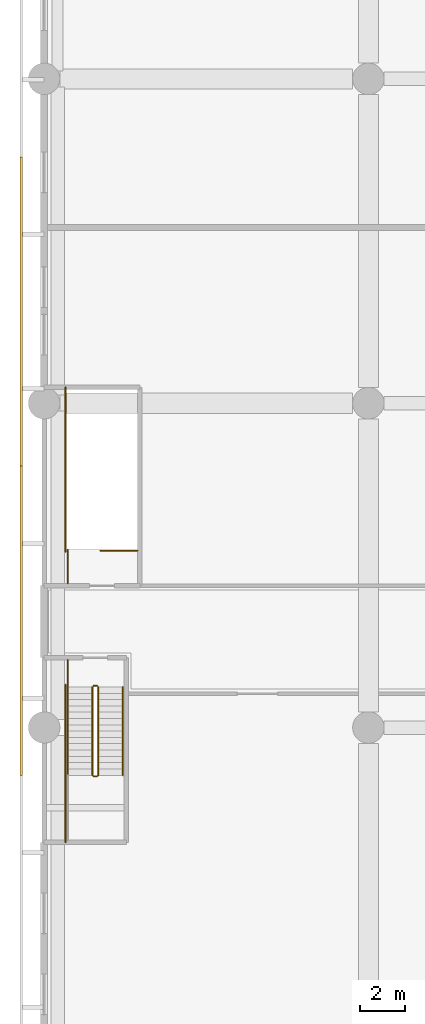
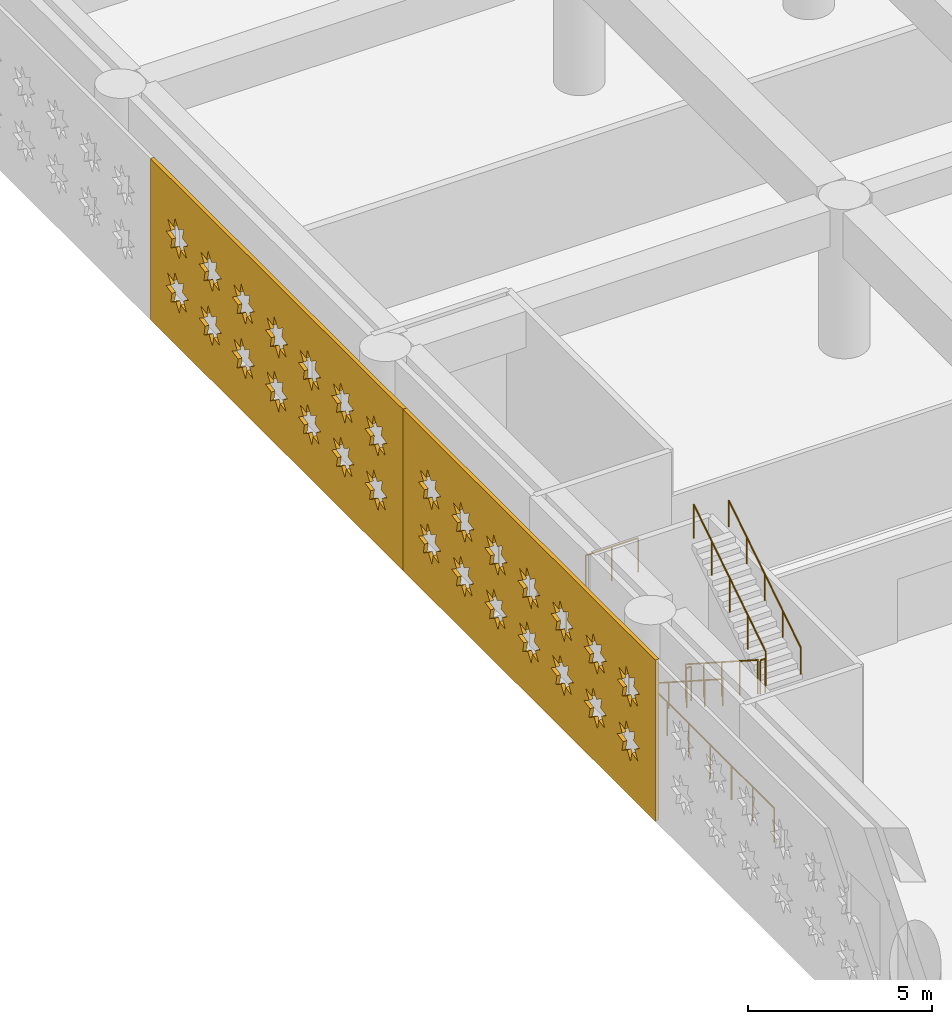
# One storey, part 14 of 24: 11 railings, 2 coverings.
"""IFC4 building model written with IfcOpenShell, lengths in metres."""

from ifc_helpers import new_model, si_unit, direction, frame, origin, origin_2d, place, context, subcontext, project, spatial, polyline, circle, outline, extrude, material, layer, layer_set, type_object, element, save


model = new_model("IFC4")

# Units and contexts
model_context = context("Model", 3, precision=1e-05, world=origin(), true_north=direction((0.0, 1.0)))
body_context = subcontext(model_context, "Body", "Model", "MODEL_VIEW")
ifc_project = project(units=[si_unit("LENGTHUNIT", "METRE"), si_unit("AREAUNIT", "SQUARE_METRE"), si_unit("VOLUMEUNIT", "CUBIC_METRE"), si_unit("PLANEANGLEUNIT", "RADIAN"), si_unit("MASSUNIT", "GRAM", prefix="KILO")], contexts=[model_context])

# Site, building, storey
site_placement = place(None, origin())
site = spatial("IfcSite", under=ifc_project, at=site_placement, CompositionType="ELEMENT")
building_placement = place(site_placement, origin())
building = spatial("IfcBuilding", under=site, at=building_placement, Name="Saffron Iwan Residences", CompositionType="ELEMENT")
storey_placement = place(building_placement, frame((0.0, 0.0, 21.60009765625)))
storey = spatial("IfcBuildingStorey", under=building, at=storey_placement, Name="L04", CompositionType="ELEMENT", Elevation=21.60009765625)

# Coverings
ifc_material_1 = material(Name="Terracotta screen, precast concrete C40/50", Category="masonry")
ifc_layer = layer(ifc_material_1, 0.1201171875)
ifc_layer_set = layer_set([ifc_layer], Name="Terracotta screen, precast concrete C40/50")
covering_type = type_object("IfcCoveringType", Name="PODIUM SCREEN GIRIH", PredefinedType="CLADDING", material=ifc_layer_set)
covering_1_placement = place(storey_placement, frame((-0.949951171875, 73.325927734375, -0.400146484375), z_axis=(-1.0, 0.0, 0.0), x_axis=(0.0, -1.0, 0.0)))
element("IfcCovering", 1, at=covering_1_placement, inside=storey, type_object=covering_type, Name="SCREEN girih terracotta L04 F3.1", PredefinedType="CLADDING", context=body_context, shape_type="SweptSolid", body=[
    extrude(outline(polyline([(0.0, 0.0), (13.72412109375, 0.0), (13.72412109375, 5.35009765625), (0.0, 5.35009765625), (0.0, 0.0)]), holes=[polyline([(2.070068359375, 1.89599609375), (1.74462890625, 1.9638671875), (1.806396484375, 2.29052734375), (1.5283203125, 2.1083984375), (1.341064453125, 2.383056640625), (1.273193359375, 2.0576171875), (0.946533203125, 2.119384765625), (1.12841796875, 1.84130859375), (0.85400390625, 1.654052734375), (1.17919921875, 1.586181640625), (1.117431640625, 1.259521484375), (1.395751953125, 1.44140625), (1.5830078125, 1.1669921875), (1.65087890625, 1.4921875), (1.9775390625, 1.430419921875), (1.79541015625, 1.708740234375), (2.070068359375, 1.89599609375)]), polyline([(2.070068359375, 3.696044921875), (1.74462890625, 3.763916015625), (1.806396484375, 4.090576171875), (1.5283203125, 3.908447265625), (1.341064453125, 4.18310546875), (1.273193359375, 3.857666015625), (0.946533203125, 3.91943359375), (1.12841796875, 3.641357421875), (0.85400390625, 3.4541015625), (1.17919921875, 3.385986328125), (1.117431640625, 3.0595703125), (1.395751953125, 3.241455078125), (1.5830078125, 2.966796875), (1.65087890625, 3.292236328125), (1.9775390625, 3.23046875), (1.79541015625, 3.5087890625), (2.070068359375, 3.696044921875)]), polyline([(3.8701171875, 1.89599609375), (3.544677734375, 1.9638671875), (3.6064453125, 2.29052734375), (3.328369140625, 2.1083984375), (3.14111328125, 2.383056640625), (3.072998046875, 2.0576171875), (2.74658203125, 2.119384765625), (2.928466796875, 1.84130859375), (2.65380859375, 1.654052734375), (2.979248046875, 1.586181640625), (2.91748046875, 1.259521484375), (3.19580078125, 1.44140625), (3.383056640625, 1.1669921875), (3.450927734375, 1.4921875), (3.777587890625, 1.430419921875), (3.595458984375, 1.708740234375), (3.8701171875, 1.89599609375)]), polyline([(3.8701171875, 3.696044921875), (3.544677734375, 3.763916015625), (3.6064453125, 4.090576171875), (3.328369140625, 3.908447265625), (3.14111328125, 4.18310546875), (3.072998046875, 3.857666015625), (2.74658203125, 3.91943359375), (2.928466796875, 3.641357421875), (2.65380859375, 3.4541015625), (2.979248046875, 3.385986328125), (2.91748046875, 3.0595703125), (3.19580078125, 3.241455078125), (3.383056640625, 2.966796875), (3.450927734375, 3.292236328125), (3.777587890625, 3.23046875), (3.595458984375, 3.5087890625), (3.8701171875, 3.696044921875)]), polyline([(5.670166015625, 1.89599609375), (5.3447265625, 1.9638671875), (5.406494140625, 2.29052734375), (5.12841796875, 2.1083984375), (4.94091796875, 2.383056640625), (4.873046875, 2.0576171875), (4.54638671875, 2.119384765625), (4.728515625, 1.84130859375), (4.453857421875, 1.654052734375), (4.779296875, 1.586181640625), (4.717529296875, 1.259521484375), (4.99560546875, 1.44140625), (5.18310546875, 1.1669921875), (5.2509765625, 1.4921875), (5.577392578125, 1.430419921875), (5.3955078125, 1.708740234375), (5.670166015625, 1.89599609375)]), polyline([(5.670166015625, 3.696044921875), (5.3447265625, 3.763916015625), (5.406494140625, 4.090576171875), (5.12841796875, 3.908447265625), (4.94091796875, 4.18310546875), (4.873046875, 3.857666015625), (4.54638671875, 3.91943359375), (4.728515625, 3.641357421875), (4.453857421875, 3.4541015625), (4.779296875, 3.385986328125), (4.717529296875, 3.0595703125), (4.99560546875, 3.241455078125), (5.18310546875, 2.966796875), (5.2509765625, 3.292236328125), (5.577392578125, 3.23046875), (5.3955078125, 3.5087890625), (5.670166015625, 3.696044921875)]), polyline([(7.47021484375, 1.89599609375), (7.144775390625, 1.9638671875), (7.20654296875, 2.29052734375), (6.92822265625, 2.1083984375), (6.740966796875, 2.383056640625), (6.673095703125, 2.0576171875), (6.346435546875, 2.119384765625), (6.528564453125, 1.84130859375), (6.25390625, 1.654052734375), (6.579345703125, 1.586181640625), (6.517578125, 1.259521484375), (6.795654296875, 1.44140625), (6.98291015625, 1.1669921875), (7.05078125, 1.4921875), (7.37744140625, 1.430419921875), (7.195556640625, 1.708740234375), (7.47021484375, 1.89599609375)]), polyline([(7.47021484375, 3.696044921875), (7.144775390625, 3.763916015625), (7.20654296875, 4.090576171875), (6.92822265625, 3.908447265625), (6.740966796875, 4.18310546875), (6.673095703125, 3.857666015625), (6.346435546875, 3.91943359375), (6.528564453125, 3.641357421875), (6.25390625, 3.4541015625), (6.579345703125, 3.385986328125), (6.517578125, 3.0595703125), (6.795654296875, 3.241455078125), (6.98291015625, 2.966796875), (7.05078125, 3.292236328125), (7.37744140625, 3.23046875), (7.195556640625, 3.5087890625), (7.47021484375, 3.696044921875)]), polyline([(9.27001953125, 1.89599609375), (8.944580078125, 1.9638671875), (9.006591796875, 2.29052734375), (8.728271484375, 2.1083984375), (8.541015625, 2.383056640625), (8.47314453125, 2.0576171875), (8.146484375, 2.119384765625), (8.32861328125, 1.84130859375), (8.053955078125, 1.654052734375), (8.37939453125, 1.586181640625), (8.3173828125, 1.259521484375), (8.595703125, 1.44140625), (8.782958984375, 1.1669921875), (8.850830078125, 1.4921875), (9.177490234375, 1.430419921875), (8.99560546875, 1.708740234375), (9.27001953125, 1.89599609375)]), polyline([(9.27001953125, 3.696044921875), (8.944580078125, 3.763916015625), (9.006591796875, 4.090576171875), (8.728271484375, 3.908447265625), (8.541015625, 4.18310546875), (8.47314453125, 3.857666015625), (8.146484375, 3.91943359375), (8.32861328125, 3.641357421875), (8.053955078125, 3.4541015625), (8.37939453125, 3.385986328125), (8.3173828125, 3.0595703125), (8.595703125, 3.241455078125), (8.782958984375, 2.966796875), (8.850830078125, 3.292236328125), (9.177490234375, 3.23046875), (8.99560546875, 3.5087890625), (9.27001953125, 3.696044921875)]), polyline([(11.070068359375, 1.89599609375), (10.74462890625, 1.9638671875), (10.806396484375, 2.29052734375), (10.5283203125, 2.1083984375), (10.341064453125, 2.383056640625), (10.273193359375, 2.0576171875), (9.946533203125, 2.119384765625), (10.12841796875, 1.84130859375), (9.85400390625, 1.654052734375), (10.17919921875, 1.586181640625), (10.117431640625, 1.259521484375), (10.395751953125, 1.44140625), (10.5830078125, 1.1669921875), (10.65087890625, 1.4921875), (10.9775390625, 1.430419921875), (10.79541015625, 1.708740234375), (11.070068359375, 1.89599609375)]), polyline([(11.070068359375, 3.696044921875), (10.74462890625, 3.763916015625), (10.806396484375, 4.090576171875), (10.5283203125, 3.908447265625), (10.341064453125, 4.18310546875), (10.273193359375, 3.857666015625), (9.946533203125, 3.91943359375), (10.12841796875, 3.641357421875), (9.85400390625, 3.4541015625), (10.17919921875, 3.385986328125), (10.117431640625, 3.0595703125), (10.395751953125, 3.241455078125), (10.5830078125, 2.966796875), (10.65087890625, 3.292236328125), (10.9775390625, 3.23046875), (10.79541015625, 3.5087890625), (11.070068359375, 3.696044921875)]), polyline([(12.8701171875, 1.89599609375), (12.544677734375, 1.9638671875), (12.6064453125, 2.29052734375), (12.328369140625, 2.1083984375), (12.14111328125, 2.383056640625), (12.072998046875, 2.0576171875), (11.74658203125, 2.119384765625), (11.928466796875, 1.84130859375), (11.65380859375, 1.654052734375), (11.979248046875, 1.586181640625), (11.91748046875, 1.259521484375), (12.19580078125, 1.44140625), (12.383056640625, 1.1669921875), (12.450927734375, 1.4921875), (12.777587890625, 1.430419921875), (12.595458984375, 1.708740234375), (12.8701171875, 1.89599609375)]), polyline([(12.8701171875, 3.696044921875), (12.544677734375, 3.763916015625), (12.6064453125, 4.090576171875), (12.328369140625, 3.908447265625), (12.14111328125, 4.18310546875), (12.072998046875, 3.857666015625), (11.74658203125, 3.91943359375), (11.928466796875, 3.641357421875), (11.65380859375, 3.4541015625), (11.979248046875, 3.385986328125), (11.91748046875, 3.0595703125), (12.19580078125, 3.241455078125), (12.383056640625, 2.966796875), (12.450927734375, 3.292236328125), (12.777587890625, 3.23046875), (12.595458984375, 3.5087890625), (12.8701171875, 3.696044921875)])]), origin(), (0.0, 0.0, 1.0), 0.1201171875),
])
covering_2_placement = place(storey_placement, frame((-0.949951171875, 59.60205078125, -0.400146484375), z_axis=(-1.0, 0.0, 0.0), x_axis=(0.0, -1.0, 0.0)))
element("IfcCovering", 2, at=covering_2_placement, inside=storey, type_object=covering_type, Name="SCREEN girih terracotta L04 F3.2", PredefinedType="CLADDING", context=body_context, shape_type="SweptSolid", body=[
    extrude(outline(polyline([(0.0, 0.0), (13.72412109375, 0.0), (13.72412109375, 5.35009765625), (0.0, 5.35009765625), (0.0, 0.0)]), holes=[polyline([(2.070068359375, 1.89599609375), (1.74462890625, 1.9638671875), (1.806396484375, 2.29052734375), (1.5283203125, 2.1083984375), (1.341064453125, 2.383056640625), (1.273193359375, 2.0576171875), (0.946533203125, 2.119384765625), (1.12841796875, 1.84130859375), (0.85400390625, 1.654052734375), (1.17919921875, 1.586181640625), (1.117431640625, 1.259521484375), (1.395751953125, 1.44140625), (1.5830078125, 1.1669921875), (1.65087890625, 1.4921875), (1.9775390625, 1.430419921875), (1.79541015625, 1.708740234375), (2.070068359375, 1.89599609375)]), polyline([(2.070068359375, 3.696044921875), (1.74462890625, 3.763916015625), (1.806396484375, 4.090576171875), (1.5283203125, 3.908447265625), (1.341064453125, 4.18310546875), (1.273193359375, 3.857666015625), (0.946533203125, 3.91943359375), (1.12841796875, 3.641357421875), (0.85400390625, 3.4541015625), (1.17919921875, 3.385986328125), (1.117431640625, 3.0595703125), (1.395751953125, 3.241455078125), (1.5830078125, 2.966796875), (1.65087890625, 3.292236328125), (1.9775390625, 3.23046875), (1.79541015625, 3.5087890625), (2.070068359375, 3.696044921875)]), polyline([(3.8701171875, 1.89599609375), (3.544677734375, 1.9638671875), (3.6064453125, 2.29052734375), (3.328369140625, 2.1083984375), (3.14111328125, 2.383056640625), (3.072998046875, 2.0576171875), (2.74658203125, 2.119384765625), (2.928466796875, 1.84130859375), (2.65380859375, 1.654052734375), (2.979248046875, 1.586181640625), (2.91748046875, 1.259521484375), (3.19580078125, 1.44140625), (3.383056640625, 1.1669921875), (3.450927734375, 1.4921875), (3.777587890625, 1.430419921875), (3.595458984375, 1.708740234375), (3.8701171875, 1.89599609375)]), polyline([(3.8701171875, 3.696044921875), (3.544677734375, 3.763916015625), (3.6064453125, 4.090576171875), (3.328369140625, 3.908447265625), (3.14111328125, 4.18310546875), (3.072998046875, 3.857666015625), (2.74658203125, 3.91943359375), (2.928466796875, 3.641357421875), (2.65380859375, 3.4541015625), (2.979248046875, 3.385986328125), (2.91748046875, 3.0595703125), (3.19580078125, 3.241455078125), (3.383056640625, 2.966796875), (3.450927734375, 3.292236328125), (3.777587890625, 3.23046875), (3.595458984375, 3.5087890625), (3.8701171875, 3.696044921875)]), polyline([(5.670166015625, 1.89599609375), (5.3447265625, 1.9638671875), (5.406494140625, 2.29052734375), (5.12841796875, 2.1083984375), (4.94091796875, 2.383056640625), (4.873046875, 2.0576171875), (4.54638671875, 2.119384765625), (4.728515625, 1.84130859375), (4.453857421875, 1.654052734375), (4.779296875, 1.586181640625), (4.717529296875, 1.259521484375), (4.99560546875, 1.44140625), (5.18310546875, 1.1669921875), (5.2509765625, 1.4921875), (5.577392578125, 1.430419921875), (5.3955078125, 1.708740234375), (5.670166015625, 1.89599609375)]), polyline([(5.670166015625, 3.696044921875), (5.3447265625, 3.763916015625), (5.406494140625, 4.090576171875), (5.12841796875, 3.908447265625), (4.94091796875, 4.18310546875), (4.873046875, 3.857666015625), (4.54638671875, 3.91943359375), (4.728515625, 3.641357421875), (4.453857421875, 3.4541015625), (4.779296875, 3.385986328125), (4.717529296875, 3.0595703125), (4.99560546875, 3.241455078125), (5.18310546875, 2.966796875), (5.2509765625, 3.292236328125), (5.577392578125, 3.23046875), (5.3955078125, 3.5087890625), (5.670166015625, 3.696044921875)]), polyline([(7.47021484375, 1.89599609375), (7.144775390625, 1.9638671875), (7.20654296875, 2.29052734375), (6.92822265625, 2.1083984375), (6.740966796875, 2.383056640625), (6.673095703125, 2.0576171875), (6.346435546875, 2.119384765625), (6.528564453125, 1.84130859375), (6.25390625, 1.654052734375), (6.579345703125, 1.586181640625), (6.517578125, 1.259521484375), (6.795654296875, 1.44140625), (6.98291015625, 1.1669921875), (7.05078125, 1.4921875), (7.37744140625, 1.430419921875), (7.195556640625, 1.708740234375), (7.47021484375, 1.89599609375)]), polyline([(7.47021484375, 3.696044921875), (7.144775390625, 3.763916015625), (7.20654296875, 4.090576171875), (6.92822265625, 3.908447265625), (6.740966796875, 4.18310546875), (6.673095703125, 3.857666015625), (6.346435546875, 3.91943359375), (6.528564453125, 3.641357421875), (6.25390625, 3.4541015625), (6.579345703125, 3.385986328125), (6.517578125, 3.0595703125), (6.795654296875, 3.241455078125), (6.98291015625, 2.966796875), (7.05078125, 3.292236328125), (7.37744140625, 3.23046875), (7.195556640625, 3.5087890625), (7.47021484375, 3.696044921875)]), polyline([(9.27001953125, 1.89599609375), (8.944580078125, 1.9638671875), (9.006591796875, 2.29052734375), (8.728271484375, 2.1083984375), (8.541015625, 2.383056640625), (8.47314453125, 2.0576171875), (8.146484375, 2.119384765625), (8.32861328125, 1.84130859375), (8.053955078125, 1.654052734375), (8.37939453125, 1.586181640625), (8.3173828125, 1.259521484375), (8.595703125, 1.44140625), (8.782958984375, 1.1669921875), (8.850830078125, 1.4921875), (9.177490234375, 1.430419921875), (8.99560546875, 1.708740234375), (9.27001953125, 1.89599609375)]), polyline([(9.27001953125, 3.696044921875), (8.944580078125, 3.763916015625), (9.006591796875, 4.090576171875), (8.728271484375, 3.908447265625), (8.541015625, 4.18310546875), (8.47314453125, 3.857666015625), (8.146484375, 3.91943359375), (8.32861328125, 3.641357421875), (8.053955078125, 3.4541015625), (8.37939453125, 3.385986328125), (8.3173828125, 3.0595703125), (8.595703125, 3.241455078125), (8.782958984375, 2.966796875), (8.850830078125, 3.292236328125), (9.177490234375, 3.23046875), (8.99560546875, 3.5087890625), (9.27001953125, 3.696044921875)]), polyline([(11.070068359375, 1.89599609375), (10.74462890625, 1.9638671875), (10.806396484375, 2.29052734375), (10.5283203125, 2.1083984375), (10.341064453125, 2.383056640625), (10.273193359375, 2.0576171875), (9.946533203125, 2.119384765625), (10.12841796875, 1.84130859375), (9.85400390625, 1.654052734375), (10.17919921875, 1.586181640625), (10.117431640625, 1.259521484375), (10.395751953125, 1.44140625), (10.5830078125, 1.1669921875), (10.65087890625, 1.4921875), (10.9775390625, 1.430419921875), (10.79541015625, 1.708740234375), (11.070068359375, 1.89599609375)]), polyline([(11.070068359375, 3.696044921875), (10.74462890625, 3.763916015625), (10.806396484375, 4.090576171875), (10.5283203125, 3.908447265625), (10.341064453125, 4.18310546875), (10.273193359375, 3.857666015625), (9.946533203125, 3.91943359375), (10.12841796875, 3.641357421875), (9.85400390625, 3.4541015625), (10.17919921875, 3.385986328125), (10.117431640625, 3.0595703125), (10.395751953125, 3.241455078125), (10.5830078125, 2.966796875), (10.65087890625, 3.292236328125), (10.9775390625, 3.23046875), (10.79541015625, 3.5087890625), (11.070068359375, 3.696044921875)]), polyline([(12.8701171875, 1.89599609375), (12.544677734375, 1.9638671875), (12.6064453125, 2.29052734375), (12.328369140625, 2.1083984375), (12.14111328125, 2.383056640625), (12.072998046875, 2.0576171875), (11.74658203125, 2.119384765625), (11.928466796875, 1.84130859375), (11.65380859375, 1.654052734375), (11.979248046875, 1.586181640625), (11.91748046875, 1.259521484375), (12.19580078125, 1.44140625), (12.383056640625, 1.1669921875), (12.450927734375, 1.4921875), (12.777587890625, 1.430419921875), (12.595458984375, 1.708740234375), (12.8701171875, 1.89599609375)]), polyline([(12.8701171875, 3.696044921875), (12.544677734375, 3.763916015625), (12.6064453125, 4.090576171875), (12.328369140625, 3.908447265625), (12.14111328125, 4.18310546875), (12.072998046875, 3.857666015625), (11.74658203125, 3.91943359375), (11.928466796875, 3.641357421875), (11.65380859375, 3.4541015625), (11.979248046875, 3.385986328125), (11.91748046875, 3.0595703125), (12.19580078125, 3.241455078125), (12.383056640625, 2.966796875), (12.450927734375, 3.292236328125), (12.777587890625, 3.23046875), (12.595458984375, 3.5087890625), (12.8701171875, 3.696044921875)])]), origin(), (0.0, 0.0, 1.0), 0.1201171875),
])

# Railings
ifc_material_2 = material(Name="Steel S355", Category="steel")
railing_type_1 = type_object("IfcRailingType", Name="Podium stair guard 1150", PredefinedType="GUARDRAIL", material=ifc_material_2)
railing_1_placement = place(storey_placement, frame((2.14990234375, 49.800048828125, 0.179931640625)))
element("IfcRailing", 3, at=railing_1_placement, inside=storey, type_object=railing_type_1, Name="L04 PS1 stair guard 1", PredefinedType="GUARDRAIL", context=body_context, shape_type="SweptSolid", body=[
    extrude(circle(Radius=0.02392578125, at=origin_2d()), frame((0.0, 0.0, 1.1259765625), z_axis=(0.0, -0.841186985886, 0.540744352514), x_axis=(1.0, 0.0, 0.0)), (0.0, 0.0, 1.0), 4.660400390625),
    extrude(circle(Radius=0.02099609375, at=origin_2d()), origin(), (0.0, 0.0, 1.0), 1.101806640625),
    extrude(circle(Radius=0.02099609375, at=origin_2d()), frame((0.0, -0.97998046875, 0.6298828125)), (0.0, 0.0, 1.0), 1.101806640625),
    extrude(circle(Radius=0.02099609375, at=origin_2d()), frame((0.0, -1.9599609375, 1.260009765625)), (0.0, 0.0, 1.0), 1.101806640625),
    extrude(circle(Radius=0.02099609375, at=origin_2d()), frame((0.0, -2.940185546875, 1.89013671875)), (0.0, 0.0, 1.0), 1.101806640625),
    extrude(circle(Radius=0.02099609375, at=origin_2d()), frame((0.0, -3.920166015625, 2.52001953125)), (0.0, 0.0, 1.0), 1.101806640625),
])
railing_2_placement = place(storey_placement, frame((2.199951171875, 45.830078125, 2.699951171875)))
element("IfcRailing", 4, at=railing_2_placement, inside=storey, type_object=railing_type_1, Name="L04 PS1 stair guard 2", PredefinedType="GUARDRAIL", context=body_context, shape_type="SweptSolid", body=[
    extrude(circle(Radius=0.02392578125, at=origin_2d()), frame((0.0, 0.0, 1.1259765625), z_axis=(1.0, 0.0, 0.0), x_axis=(0.0, 1.0, 0.0)), (0.0, 0.0, 1.0), 0.150146484375),
    extrude(circle(Radius=0.02099609375, at=origin_2d()), origin(), (0.0, 0.0, 1.0), 1.101806640625),
    extrude(circle(Radius=0.02099609375, at=origin_2d()), frame((0.150146484375, 0.0, 0.0)), (0.0, 0.0, 1.0), 1.101806640625),
])
railing_3_placement = place(storey_placement, frame((2.39990234375, 45.8798828125, 2.8798828125)))
element("IfcRailing", 5, at=railing_3_placement, inside=storey, type_object=railing_type_1, Name="L04 PS1 stair guard 4", PredefinedType="GUARDRAIL", context=body_context, shape_type="SweptSolid", body=[
    extrude(circle(Radius=0.02392578125, at=origin_2d()), frame((0.0, 0.0, 1.1259765625), z_axis=(0.0, 0.841186985886, 0.540744352514), x_axis=(-1.0, 0.0, 0.0)), (0.0, 0.0, 1.0), 4.660400390625),
    extrude(circle(Radius=0.02099609375, at=origin_2d()), origin(), (0.0, 0.0, 1.0), 1.101806640625),
    extrude(circle(Radius=0.02099609375, at=origin_2d()), frame((0.0, 0.97998046875, 0.6298828125)), (0.0, 0.0, 1.0), 1.101806640625),
    extrude(circle(Radius=0.02099609375, at=origin_2d()), frame((0.0, 1.9599609375, 1.260009765625)), (0.0, 0.0, 1.0), 1.101806640625),
    extrude(circle(Radius=0.02099609375, at=origin_2d()), frame((0.0, 2.940185546875, 1.89013671875)), (0.0, 0.0, 1.0), 1.101806640625),
    extrude(circle(Radius=0.02099609375, at=origin_2d()), frame((0.0, 3.920166015625, 2.52001953125)), (0.0, 0.0, 1.0), 1.101806640625),
])
railing_4_placement = place(storey_placement, frame((2.199951171875, 49.85009765625, 0.0)))
element("IfcRailing", 6, at=railing_4_placement, inside=storey, type_object=railing_type_1, Name="L04 PS1 stair guard 5", PredefinedType="GUARDRAIL", context=body_context, shape_type="SweptSolid", body=[
    extrude(circle(Radius=0.02392578125, at=origin_2d()), frame((0.0, 0.0, 1.1259765625), z_axis=(1.0, 0.0, 0.0), x_axis=(0.0, 1.0, 0.0)), (0.0, 0.0, 1.0), 0.150146484375),
    extrude(circle(Radius=0.02099609375, at=origin_2d()), origin(), (0.0, 0.0, 1.0), 1.101806640625),
    extrude(circle(Radius=0.02099609375, at=origin_2d()), frame((0.150146484375, 0.0, 0.0)), (0.0, 0.0, 1.0), 1.101806640625),
])
railing_5_placement = place(storey_placement, frame((1.050048828125, 51.0, 0.0)))
element("IfcRailing", 7, at=railing_5_placement, inside=storey, type_object=railing_type_1, Name="L04 PS1 stair guard 6", PredefinedType="GUARDRAIL", context=body_context, shape_type="SweptSolid", body=[
    extrude(circle(Radius=0.02392578125, at=origin_2d()), frame((0.0, 0.0, 1.1259765625), z_axis=(0.0, -1.0, 0.0), x_axis=(1.0, 0.0, 0.0)), (0.0, 0.0, 1.0), 1.199951171875),
    extrude(circle(Radius=0.02099609375, at=origin_2d()), origin(), (0.0, 0.0, 1.0), 1.101806640625),
    extrude(circle(Radius=0.02099609375, at=origin_2d()), frame((0.0, -1.199951171875, 0.0)), (0.0, 0.0, 1.0), 1.101806640625),
])
railing_6_placement = place(storey_placement, frame((0.949951171875, 49.89990234375, 0.0)))
element("IfcRailing", 8, at=railing_6_placement, inside=storey, type_object=railing_type_1, Name="L04 PS1 stair guard 7", PredefinedType="GUARDRAIL", context=body_context, shape_type="SweptSolid", body=[
    extrude(circle(Radius=0.02392578125, at=origin_2d()), frame((0.0, 0.0, 1.1259765625), z_axis=(0.0, -1.0, 0.0), x_axis=(1.0, 0.0, 0.0)), (0.0, 0.0, 1.0), 7.0),
    extrude(circle(Radius=0.02099609375, at=origin_2d()), origin(), (0.0, 0.0, 1.0), 1.101806640625),
    extrude(circle(Radius=0.02099609375, at=origin_2d()), frame((0.0, -1.166748046875, 0.0)), (0.0, 0.0, 1.0), 1.101806640625),
    extrude(circle(Radius=0.02099609375, at=origin_2d()), frame((0.0, -2.333251953125, 0.0)), (0.0, 0.0, 1.0), 1.101806640625),
    extrude(circle(Radius=0.02099609375, at=origin_2d()), frame((0.0, -3.5, 0.0)), (0.0, 0.0, 1.0), 1.101806640625),
    extrude(circle(Radius=0.02099609375, at=origin_2d()), frame((0.0, -4.666748046875, 0.0)), (0.0, 0.0, 1.0), 1.101806640625),
    extrude(circle(Radius=0.02099609375, at=origin_2d()), frame((0.0, -5.833251953125, 0.0)), (0.0, 0.0, 1.0), 1.101806640625),
    extrude(circle(Radius=0.02099609375, at=origin_2d()), frame((0.0, -7.0, 0.0)), (0.0, 0.0, 1.0), 1.101806640625),
])
railing_7_placement = place(storey_placement, frame((4.14990234375, 55.85009765625, 0.0)))
element("IfcRailing", 9, at=railing_7_placement, inside=storey, type_object=railing_type_1, Name="L04 PS3 top well guard 1", PredefinedType="GUARDRAIL", context=body_context, shape_type="SweptSolid", body=[
    extrude(circle(Radius=0.02392578125, at=origin_2d()), frame((0.0, 0.0, 1.1259765625), z_axis=(-1.0, 0.0, 0.0), x_axis=(0.0, -1.0, 0.0)), (0.0, 0.0, 1.0), 1.64990234375),
    extrude(circle(Radius=0.02099609375, at=origin_2d()), origin(), (0.0, 0.0, 1.0), 1.101806640625),
    extrude(circle(Radius=0.02099609375, at=origin_2d()), frame((-0.824951171875, 0.0, 0.0)), (0.0, 0.0, 1.0), 1.101806640625),
    extrude(circle(Radius=0.02099609375, at=origin_2d()), frame((-1.64990234375, 0.0, 0.0)), (0.0, 0.0, 1.0), 1.101806640625),
])
railing_8_placement = place(storey_placement, frame((0.949951171875, 55.800048828125, 0.0)))
element("IfcRailing", 10, at=railing_8_placement, inside=storey, type_object=railing_type_1, Name="L04 PS3 top well guard 2", PredefinedType="GUARDRAIL", context=body_context, shape_type="SweptSolid", body=[
    extrude(circle(Radius=0.02392578125, at=origin_2d()), frame((0.0, 0.0, 1.1259765625), z_axis=(0.0, 1.0, 0.0), x_axis=(-1.0, 0.0, 0.0)), (0.0, 0.0, 1.0), 7.300048828125),
    extrude(circle(Radius=0.02099609375, at=origin_2d()), origin(), (0.0, 0.0, 1.0), 1.101806640625),
    extrude(circle(Radius=0.02099609375, at=origin_2d()), frame((0.0, 1.04296875, 0.0)), (0.0, 0.0, 1.0), 1.101806640625),
    extrude(circle(Radius=0.02099609375, at=origin_2d()), frame((0.0, 2.085693359375, 0.0)), (0.0, 0.0, 1.0), 1.101806640625),
    extrude(circle(Radius=0.02099609375, at=origin_2d()), frame((0.0, 3.128662109375, 0.0)), (0.0, 0.0, 1.0), 1.101806640625),
    extrude(circle(Radius=0.02099609375, at=origin_2d()), frame((0.0, 4.17138671875, 0.0)), (0.0, 0.0, 1.0), 1.101806640625),
    extrude(circle(Radius=0.02099609375, at=origin_2d()), frame((0.0, 5.21435546875, 0.0)), (0.0, 0.0, 1.0), 1.101806640625),
    extrude(circle(Radius=0.02099609375, at=origin_2d()), frame((0.0, 6.257080078125, 0.0)), (0.0, 0.0, 1.0), 1.101806640625),
    extrude(circle(Radius=0.02099609375, at=origin_2d()), frame((0.0, 7.300048828125, 0.0)), (0.0, 0.0, 1.0), 1.101806640625),
])
railing_9_placement = place(storey_placement, frame((1.050048828125, 54.39990234375, 0.0)))
element("IfcRailing", 11, at=railing_9_placement, inside=storey, type_object=railing_type_1, Name="L04 PS3 top well guard 3", PredefinedType="GUARDRAIL", context=body_context, shape_type="SweptSolid", body=[
    extrude(circle(Radius=0.02392578125, at=origin_2d()), frame((0.0, 0.0, 1.1259765625), z_axis=(0.0, 1.0, 0.0), x_axis=(-1.0, 0.0, 0.0)), (0.0, 0.0, 1.0), 1.5),
    extrude(circle(Radius=0.02099609375, at=origin_2d()), origin(), (0.0, 0.0, 1.0), 1.101806640625),
    extrude(circle(Radius=0.02099609375, at=origin_2d()), frame((0.0, 0.75, 0.0)), (0.0, 0.0, 1.0), 1.101806640625),
    extrude(circle(Radius=0.02099609375, at=origin_2d()), frame((0.0, 1.5, 0.0)), (0.0, 0.0, 1.0), 1.101806640625),
])
railing_type_2 = type_object("IfcRailingType", Name="Podium stair handrail 900", PredefinedType="HANDRAIL", material=ifc_material_2)
railing_10_placement = place(storey_placement, frame((1.050048828125, 49.800048828125, 0.179931640625)))
element("IfcRailing", 12, at=railing_10_placement, inside=storey, type_object=railing_type_2, Name="L04 PS1 stair handrail 1", PredefinedType="HANDRAIL", context=body_context, shape_type="SweptSolid", body=[
    extrude(circle(Radius=0.02392578125, at=origin_2d()), frame((0.0, 0.0, 0.8759765625), z_axis=(0.0, -0.841186985886, 0.540744352514), x_axis=(1.0, 0.0, 0.0)), (0.0, 0.0, 1.0), 4.660400390625),
    extrude(circle(Radius=0.02099609375, at=origin_2d()), origin(), (0.0, 0.0, 1.0), 0.851806640625),
    extrude(circle(Radius=0.02099609375, at=origin_2d()), frame((0.0, -0.97998046875, 0.6298828125)), (0.0, 0.0, 1.0), 0.851806640625),
    extrude(circle(Radius=0.02099609375, at=origin_2d()), frame((0.0, -1.9599609375, 1.260009765625)), (0.0, 0.0, 1.0), 0.851806640625),
    extrude(circle(Radius=0.02099609375, at=origin_2d()), frame((0.0, -2.940185546875, 1.89013671875)), (0.0, 0.0, 1.0), 0.851806640625),
    extrude(circle(Radius=0.02099609375, at=origin_2d()), frame((0.0, -3.920166015625, 2.52001953125)), (0.0, 0.0, 1.0), 0.851806640625),
])
railing_11_placement = place(storey_placement, frame((3.5, 45.8798828125, 2.8798828125)))
element("IfcRailing", 13, at=railing_11_placement, inside=storey, type_object=railing_type_2, Name="L04 PS1 stair handrail 2", PredefinedType="HANDRAIL", context=body_context, shape_type="SweptSolid", body=[
    extrude(circle(Radius=0.02392578125, at=origin_2d()), frame((0.0, 0.0, 0.8759765625), z_axis=(0.0, 0.841186985886, 0.540744352514), x_axis=(-1.0, 0.0, 0.0)), (0.0, 0.0, 1.0), 4.660400390625),
    extrude(circle(Radius=0.02099609375, at=origin_2d()), origin(), (0.0, 0.0, 1.0), 0.851806640625),
    extrude(circle(Radius=0.02099609375, at=origin_2d()), frame((0.0, 0.97998046875, 0.6298828125)), (0.0, 0.0, 1.0), 0.851806640625),
    extrude(circle(Radius=0.02099609375, at=origin_2d()), frame((0.0, 1.9599609375, 1.260009765625)), (0.0, 0.0, 1.0), 0.851806640625),
    extrude(circle(Radius=0.02099609375, at=origin_2d()), frame((0.0, 2.940185546875, 1.89013671875)), (0.0, 0.0, 1.0), 0.851806640625),
    extrude(circle(Radius=0.02099609375, at=origin_2d()), frame((0.0, 3.920166015625, 2.52001953125)), (0.0, 0.0, 1.0), 0.851806640625),
])

save(model, "model.ifc")
